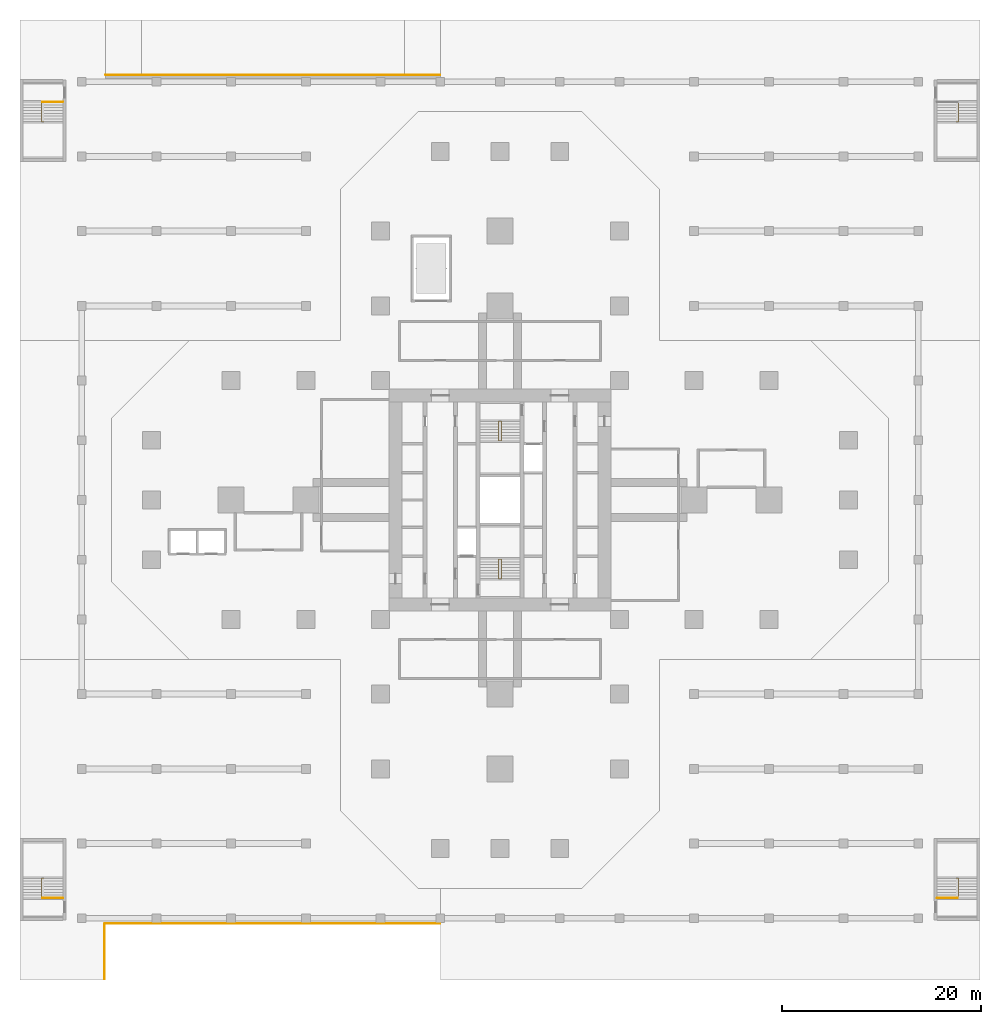
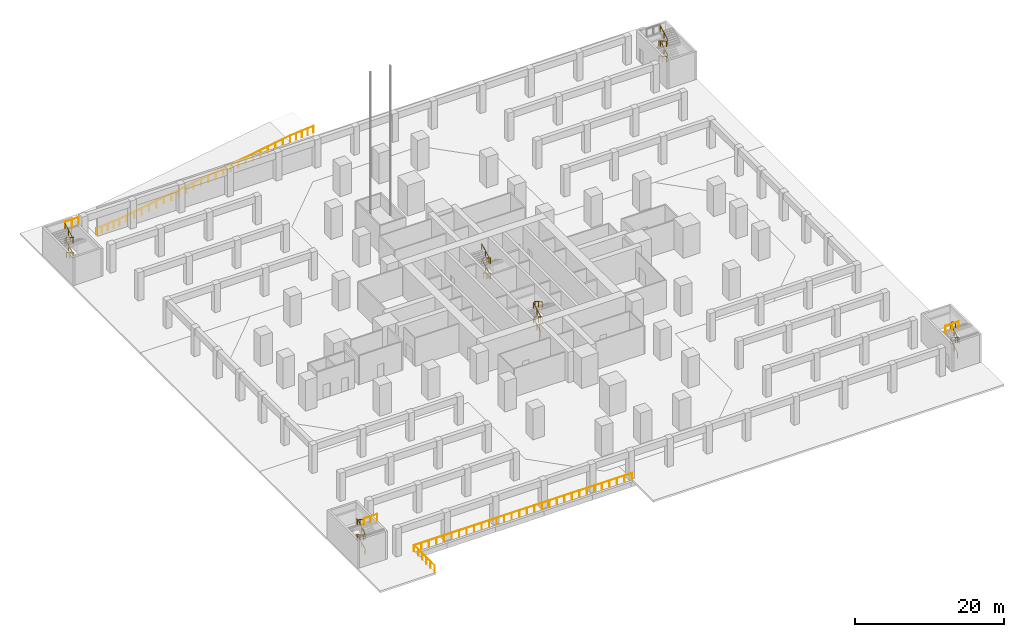
# One storey, part 16 of 20: 13 railings.
"""IFC4 building model written with IfcOpenShell, lengths in metres."""

from ifc_helpers import new_model, si_unit, direction, frame, origin, origin_2d, place, context, subcontext, project, spatial, circle, extrude, material, type_object, element, save


model = new_model("IFC4")

# Units and contexts
model_context = context("Model", 3, precision=1e-05, world=origin(), true_north=direction((0.0, 1.0)))
body_context = subcontext(model_context, "Body", "Model", "MODEL_VIEW")
ifc_project = project(units=[si_unit("LENGTHUNIT", "METRE"), si_unit("AREAUNIT", "SQUARE_METRE"), si_unit("VOLUMEUNIT", "CUBIC_METRE"), si_unit("PLANEANGLEUNIT", "RADIAN"), si_unit("MASSUNIT", "GRAM", prefix="KILO")], contexts=[model_context])

# Site, building, storey
site_placement = place(None, origin())
site = spatial("IfcSite", under=ifc_project, at=site_placement, CompositionType="ELEMENT")
building_placement = place(site_placement, origin())
building = spatial("IfcBuilding", under=site, at=building_placement, Name="Mizan Broadcast Tower", CompositionType="ELEMENT")
storey_placement = place(building_placement, frame((0.0, 0.0, -5.0)))
storey = spatial("IfcBuildingStorey", under=building, at=storey_placement, Name="B1", CompositionType="ELEMENT", Elevation=-5.0)

# Railings
ifc_material_1 = material(Name="Stainless steel and glass guard", Category="steel")
railing_type_1 = type_object("IfcRailingType", Name="GUARD 1100", PredefinedType="GUARDRAIL", material=ifc_material_1)
railing_1_placement = place(storey_placement, frame((-6.0, -42.550048828125, 0.0)))
element("IfcRailing", 1, at=railing_1_placement, inside=storey, type_object=railing_type_1, Name="Ramp opening guard B1", PredefinedType="GUARDRAIL", context=body_context, shape_type="SweptSolid", body=[
    extrude(circle(Radius=0.02392578125, at=origin_2d()), frame((0.0, 0.0, 1.076171875), z_axis=(-1.0, 0.0, 0.0), x_axis=(0.0, -1.0, 0.0)), (0.0, 0.0, 1.0), 33.699951171875),
    extrude(circle(Radius=0.02392578125, at=origin_2d()), frame((-33.699951171875, 0.0, 1.076171875), z_axis=(0.0, -1.0, 0.0), x_axis=(1.0, 0.0, 0.0)), (0.0, 0.0, 1.0), 5.550048828125),
    extrude(circle(Radius=0.02099609375, at=origin_2d()), origin(), (0.0, 0.0, 1.0), 1.052001953125),
    extrude(circle(Radius=0.02099609375, at=origin_2d()), frame((-1.162109375, 0.0, 0.0)), (0.0, 0.0, 1.0), 1.052001953125),
    extrude(circle(Radius=0.02099609375, at=origin_2d()), frame((-2.32421875, 0.0, 0.0)), (0.0, 0.0, 1.0), 1.052001953125),
    extrude(circle(Radius=0.02099609375, at=origin_2d()), frame((-3.486083984375, 0.0, 0.0)), (0.0, 0.0, 1.0), 1.052001953125),
    extrude(circle(Radius=0.02099609375, at=origin_2d()), frame((-4.648193359375, 0.0, 0.0)), (0.0, 0.0, 1.0), 1.052001953125),
    extrude(circle(Radius=0.02099609375, at=origin_2d()), frame((-5.810302734375, 0.0, 0.0)), (0.0, 0.0, 1.0), 1.052001953125),
    extrude(circle(Radius=0.02099609375, at=origin_2d()), frame((-6.972412109375, 0.0, 0.0)), (0.0, 0.0, 1.0), 1.052001953125),
    extrude(circle(Radius=0.02099609375, at=origin_2d()), frame((-8.134521484375, 0.0, 0.0)), (0.0, 0.0, 1.0), 1.052001953125),
    extrude(circle(Radius=0.02099609375, at=origin_2d()), frame((-9.296630859375, 0.0, 0.0)), (0.0, 0.0, 1.0), 1.052001953125),
    extrude(circle(Radius=0.02099609375, at=origin_2d()), frame((-10.45849609375, 0.0, 0.0)), (0.0, 0.0, 1.0), 1.052001953125),
    extrude(circle(Radius=0.02099609375, at=origin_2d()), frame((-11.62060546875, 0.0, 0.0)), (0.0, 0.0, 1.0), 1.052001953125),
    extrude(circle(Radius=0.02099609375, at=origin_2d()), frame((-12.78271484375, 0.0, 0.0)), (0.0, 0.0, 1.0), 1.052001953125),
    extrude(circle(Radius=0.02099609375, at=origin_2d()), frame((-13.94482421875, 0.0, 0.0)), (0.0, 0.0, 1.0), 1.052001953125),
    extrude(circle(Radius=0.02099609375, at=origin_2d()), frame((-15.10693359375, 0.0, 0.0)), (0.0, 0.0, 1.0), 1.052001953125),
    extrude(circle(Radius=0.02099609375, at=origin_2d()), frame((-16.26904296875, 0.0, 0.0)), (0.0, 0.0, 1.0), 1.052001953125),
    extrude(circle(Radius=0.02099609375, at=origin_2d()), frame((-17.430908203125, 0.0, 0.0)), (0.0, 0.0, 1.0), 1.052001953125),
    extrude(circle(Radius=0.02099609375, at=origin_2d()), frame((-18.593017578125, 0.0, 0.0)), (0.0, 0.0, 1.0), 1.052001953125),
    extrude(circle(Radius=0.02099609375, at=origin_2d()), frame((-19.755126953125, 0.0, 0.0)), (0.0, 0.0, 1.0), 1.052001953125),
    extrude(circle(Radius=0.02099609375, at=origin_2d()), frame((-20.917236328125, 0.0, 0.0)), (0.0, 0.0, 1.0), 1.052001953125),
    extrude(circle(Radius=0.02099609375, at=origin_2d()), frame((-22.079345703125, 0.0, 0.0)), (0.0, 0.0, 1.0), 1.052001953125),
    extrude(circle(Radius=0.02099609375, at=origin_2d()), frame((-23.241455078125, 0.0, 0.0)), (0.0, 0.0, 1.0), 1.052001953125),
    extrude(circle(Radius=0.02099609375, at=origin_2d()), frame((-24.4033203125, 0.0, 0.0)), (0.0, 0.0, 1.0), 1.052001953125),
    extrude(circle(Radius=0.02099609375, at=origin_2d()), frame((-25.5654296875, 0.0, 0.0)), (0.0, 0.0, 1.0), 1.052001953125),
    extrude(circle(Radius=0.02099609375, at=origin_2d()), frame((-26.7275390625, 0.0, 0.0)), (0.0, 0.0, 1.0), 1.052001953125),
    extrude(circle(Radius=0.02099609375, at=origin_2d()), frame((-27.8896484375, 0.0, 0.0)), (0.0, 0.0, 1.0), 1.052001953125),
    extrude(circle(Radius=0.02099609375, at=origin_2d()), frame((-29.0517578125, 0.0, 0.0)), (0.0, 0.0, 1.0), 1.052001953125),
    extrude(circle(Radius=0.02099609375, at=origin_2d()), frame((-30.2138671875, 0.0, 0.0)), (0.0, 0.0, 1.0), 1.052001953125),
    extrude(circle(Radius=0.02099609375, at=origin_2d()), frame((-31.375732421875, 0.0, 0.0)), (0.0, 0.0, 1.0), 1.052001953125),
    extrude(circle(Radius=0.02099609375, at=origin_2d()), frame((-32.537841796875, 0.0, 0.0)), (0.0, 0.0, 1.0), 1.052001953125),
    extrude(circle(Radius=0.02099609375, at=origin_2d()), frame((-33.699951171875, 0.0, 0.0)), (0.0, 0.0, 1.0), 1.052001953125),
    extrude(circle(Radius=0.02099609375, at=origin_2d()), frame((-33.699951171875, -1.110107421875, 0.0)), (0.0, 0.0, 1.0), 1.052001953125),
    extrude(circle(Radius=0.02099609375, at=origin_2d()), frame((-33.699951171875, -2.219970703125, 0.0)), (0.0, 0.0, 1.0), 1.052001953125),
    extrude(circle(Radius=0.02099609375, at=origin_2d()), frame((-33.699951171875, -3.330078125, 0.0)), (0.0, 0.0, 1.0), 1.052001953125),
    extrude(circle(Radius=0.02099609375, at=origin_2d()), frame((-33.699951171875, -4.43994140625, 0.0)), (0.0, 0.0, 1.0), 1.052001953125),
    extrude(circle(Radius=0.02099609375, at=origin_2d()), frame((-33.699951171875, -5.550048828125, 0.0)), (0.0, 0.0, 1.0), 1.052001953125),
])
railing_2_placement = place(storey_placement, frame((-6.0, 42.699951171875, 5.0)))
element("IfcRailing", 2, at=railing_2_placement, inside=storey, type_object=railing_type_1, Name="Car ramp R1 guard 1", PredefinedType="GUARDRAIL", context=body_context, shape_type="SweptSolid", body=[
    extrude(circle(Radius=0.02392578125, at=origin_2d()), frame((0.0, 0.0, 1.076171875), z_axis=(-0.996544826035, 0.0, -0.083056665618), x_axis=(0.0, -1.0, 0.0)), (0.0, 0.0, 1.0), 3.612548828125),
    extrude(circle(Radius=0.02099609375, at=origin_2d()), origin(), (0.0, 0.0, 1.0), 1.052001953125),
    extrude(circle(Radius=0.02099609375, at=origin_2d()), frame((-0.89990234375, 0.0, -0.074951171875)), (0.0, 0.0, 1.0), 1.052001953125),
    extrude(circle(Radius=0.02099609375, at=origin_2d()), frame((-1.800048828125, 0.0, -0.14990234375)), (0.0, 0.0, 1.0), 1.052001953125),
    extrude(circle(Radius=0.02099609375, at=origin_2d()), frame((-2.7001953125, 0.0, -0.22509765625)), (0.0, 0.0, 1.0), 1.052001953125),
    extrude(circle(Radius=0.02099609375, at=origin_2d()), frame((-3.60009765625, 0.0, -0.300048828125)), (0.0, 0.0, 1.0), 1.052001953125),
])
railing_3_placement = place(storey_placement, frame((-9.60009765625, 42.699951171875, 4.699951171875)))
element("IfcRailing", 3, at=railing_3_placement, inside=storey, type_object=railing_type_1, Name="Car ramp R1 guard 2", PredefinedType="GUARDRAIL", context=body_context, shape_type="SweptSolid", body=[
    extrude(circle(Radius=0.02392578125, at=origin_2d()), frame((0.0, 0.0, 1.076171875), z_axis=(-0.986394416907, 0.0, -0.16439602883), x_axis=(0.0, -1.0, 0.0)), (0.0, 0.0, 1.0), 26.76416015625),
    extrude(circle(Radius=0.02099609375, at=origin_2d()), origin(), (0.0, 0.0, 1.0), 1.052001953125),
    extrude(circle(Radius=0.02099609375, at=origin_2d()), frame((-1.147705078125, 0.0, -0.19140625)), (0.0, 0.0, 1.0), 1.052001953125),
    extrude(circle(Radius=0.02099609375, at=origin_2d()), frame((-2.295654296875, 0.0, -0.382568359375)), (0.0, 0.0, 1.0), 1.052001953125),
    extrude(circle(Radius=0.02099609375, at=origin_2d()), frame((-3.443359375, 0.0, -0.573974609375)), (0.0, 0.0, 1.0), 1.052001953125),
    extrude(circle(Radius=0.02099609375, at=origin_2d()), frame((-4.59130859375, 0.0, -0.76513671875)), (0.0, 0.0, 1.0), 1.052001953125),
    extrude(circle(Radius=0.02099609375, at=origin_2d()), frame((-5.739013671875, 0.0, -0.95654296875)), (0.0, 0.0, 1.0), 1.052001953125),
    extrude(circle(Radius=0.02099609375, at=origin_2d()), frame((-6.886962890625, 0.0, -1.147705078125)), (0.0, 0.0, 1.0), 1.052001953125),
    extrude(circle(Radius=0.02099609375, at=origin_2d()), frame((-8.03466796875, 0.0, -1.339111328125)), (0.0, 0.0, 1.0), 1.052001953125),
    extrude(circle(Radius=0.02099609375, at=origin_2d()), frame((-9.1826171875, 0.0, -1.530517578125)), (0.0, 0.0, 1.0), 1.052001953125),
    extrude(circle(Radius=0.02099609375, at=origin_2d()), frame((-10.330322265625, 0.0, -1.7216796875)), (0.0, 0.0, 1.0), 1.052001953125),
    extrude(circle(Radius=0.02099609375, at=origin_2d()), frame((-11.478271484375, 0.0, -1.9130859375)), (0.0, 0.0, 1.0), 1.052001953125),
    extrude(circle(Radius=0.02099609375, at=origin_2d()), frame((-12.6259765625, 0.0, -2.104248046875)), (0.0, 0.0, 1.0), 1.052001953125),
    extrude(circle(Radius=0.02099609375, at=origin_2d()), frame((-13.77392578125, 0.0, -2.295654296875)), (0.0, 0.0, 1.0), 1.052001953125),
    extrude(circle(Radius=0.02099609375, at=origin_2d()), frame((-14.921630859375, 0.0, -2.48681640625)), (0.0, 0.0, 1.0), 1.052001953125),
    extrude(circle(Radius=0.02099609375, at=origin_2d()), frame((-16.069580078125, 0.0, -2.67822265625)), (0.0, 0.0, 1.0), 1.052001953125),
    extrude(circle(Radius=0.02099609375, at=origin_2d()), frame((-17.21728515625, 0.0, -2.869384765625)), (0.0, 0.0, 1.0), 1.052001953125),
    extrude(circle(Radius=0.02099609375, at=origin_2d()), frame((-18.365234375, 0.0, -3.060791015625)), (0.0, 0.0, 1.0), 1.052001953125),
    extrude(circle(Radius=0.02099609375, at=origin_2d()), frame((-19.512939453125, 0.0, -3.252197265625)), (0.0, 0.0, 1.0), 1.052001953125),
    extrude(circle(Radius=0.02099609375, at=origin_2d()), frame((-20.660888671875, 0.0, -3.443359375)), (0.0, 0.0, 1.0), 1.052001953125),
    extrude(circle(Radius=0.02099609375, at=origin_2d()), frame((-21.80859375, 0.0, -3.634765625)), (0.0, 0.0, 1.0), 1.052001953125),
    extrude(circle(Radius=0.02099609375, at=origin_2d()), frame((-22.95654296875, 0.0, -3.825927734375)), (0.0, 0.0, 1.0), 1.052001953125),
    extrude(circle(Radius=0.02099609375, at=origin_2d()), frame((-24.104248046875, 0.0, -4.017333984375)), (0.0, 0.0, 1.0), 1.052001953125),
    extrude(circle(Radius=0.02099609375, at=origin_2d()), frame((-25.252197265625, 0.0, -4.20849609375)), (0.0, 0.0, 1.0), 1.052001953125),
    extrude(circle(Radius=0.02099609375, at=origin_2d()), frame((-26.39990234375, 0.0, -4.39990234375)), (0.0, 0.0, 1.0), 1.052001953125),
])
railing_4_placement = place(storey_placement, frame((-36.0, 42.699951171875, 0.300048828125)))
element("IfcRailing", 4, at=railing_4_placement, inside=storey, type_object=railing_type_1, Name="Car ramp R1 guard 3", PredefinedType="GUARDRAIL", context=body_context, shape_type="SweptSolid", body=[
    extrude(circle(Radius=0.02392578125, at=origin_2d()), frame((0.0, 0.0, 1.076171875), z_axis=(-0.996544826035, 0.0, -0.083056665618), x_axis=(0.0, -1.0, 0.0)), (0.0, 0.0, 1.0), 3.612548828125),
    extrude(circle(Radius=0.02099609375, at=origin_2d()), origin(), (0.0, 0.0, 1.0), 1.052001953125),
    extrude(circle(Radius=0.02099609375, at=origin_2d()), frame((-0.89990234375, 0.0, -0.074951171875)), (0.0, 0.0, 1.0), 1.052001953125),
    extrude(circle(Radius=0.02099609375, at=origin_2d()), frame((-1.800048828125, 0.0, -0.14990234375)), (0.0, 0.0, 1.0), 1.052001953125),
    extrude(circle(Radius=0.02099609375, at=origin_2d()), frame((-2.7001953125, 0.0, -0.22509765625)), (0.0, 0.0, 1.0), 1.052001953125),
    extrude(circle(Radius=0.02099609375, at=origin_2d()), frame((-3.60009765625, 0.0, -0.300048828125)), (0.0, 0.0, 1.0), 1.052001953125),
])
for number, where, name in (
    (5, (-43.89990234375, 39.97998046875, 5.0), "Stair F top landing guard"),
    (6, (-43.89990234375, -39.97998046875, 5.0), "Stair G top landing guard"),
):
    element("IfcRailing", number, at=place(storey_placement, frame(where)), inside=storey, type_object=railing_type_1, Name=name, PredefinedType="GUARDRAIL", context=body_context, shape_type="SweptSolid", body=[
        extrude(circle(Radius=0.02392578125, at=origin_2d()), frame((0.0, 0.0, 1.076171875), z_axis=(-1.0, 0.0, 0.0), x_axis=(0.0, -1.0, 0.0)), (0.0, 0.0, 1.0), 2.050048828125),
        extrude(circle(Radius=0.02099609375, at=origin_2d()), origin(), (0.0, 0.0, 1.0), 1.052001953125),
        extrude(circle(Radius=0.02099609375, at=origin_2d()), frame((-1.02490234375, 0.0, 0.0)), (0.0, 0.0, 1.0), 1.052001953125),
        extrude(circle(Radius=0.02099609375, at=origin_2d()), frame((-2.050048828125, 0.0, 0.0)), (0.0, 0.0, 1.0), 1.052001953125),
    ])
railing_5_placement = place(storey_placement, frame((43.89990234375, -39.97998046875, 5.0)))
element("IfcRailing", 7, at=railing_5_placement, inside=storey, type_object=railing_type_1, Name="Stair H top landing guard", PredefinedType="GUARDRAIL", context=body_context, shape_type="SweptSolid", body=[
    extrude(circle(Radius=0.02392578125, at=origin_2d()), frame((0.0, 0.0, 1.076171875), z_axis=(1.0, 0.0, 0.0), x_axis=(0.0, 1.0, 0.0)), (0.0, 0.0, 1.0), 2.050048828125),
    extrude(circle(Radius=0.02099609375, at=origin_2d()), origin(), (0.0, 0.0, 1.0), 1.052001953125),
    extrude(circle(Radius=0.02099609375, at=origin_2d()), frame((1.02490234375, 0.0, 0.0)), (0.0, 0.0, 1.0), 1.052001953125),
    extrude(circle(Radius=0.02099609375, at=origin_2d()), frame((2.050048828125, 0.0, 0.0)), (0.0, 0.0, 1.0), 1.052001953125),
])
ifc_material_2 = material(Name="Stainless steel", Category="steel")
railing_type_2 = type_object("IfcRailingType", Name="HANDRAIL 50", PredefinedType="HANDRAIL", material=ifc_material_2)
railing_6_placement = place(storey_placement, frame((-0.110107421875, -7.89990234375, 0.15625)))
element("IfcRailing", 8, at=railing_6_placement, inside=storey, type_object=railing_type_2, Name="Stair A handrail", PredefinedType="HANDRAIL", context=body_context, shape_type="SweptSolid", body=[
    extrude(circle(Radius=0.02392578125, at=origin_2d()), frame((0.0, 0.0, 0.8759765625), z_axis=(0.0, 0.873232148454, 0.487304437602), x_axis=(-1.0, 0.0, 0.0)), (0.0, 0.0, 1.0), 2.244384765625),
    extrude(circle(Radius=0.02392578125, at=origin_2d()), frame((0.0, 1.9599609375, 1.9697265625), z_axis=(0.815562204743, 0.0, 0.578669413565), x_axis=(0.0, 1.0, 0.0)), (0.0, 0.0, 1.0), 0.27001953125),
    extrude(circle(Radius=0.02392578125, at=origin_2d()), frame((0.22021484375, 1.9599609375, 2.1259765625), z_axis=(0.0, -0.873232148454, 0.487304437602), x_axis=(1.0, 0.0, 0.0)), (0.0, 0.0, 1.0), 2.244384765625),
    extrude(circle(Radius=0.02392578125, at=origin_2d()), frame((0.22021484375, 0.0, 3.2197265625), z_axis=(-0.815562204743, 0.0, 0.578669413565), x_axis=(0.0, -1.0, 0.0)), (0.0, 0.0, 1.0), 0.27001953125),
    extrude(circle(Radius=0.02392578125, at=origin_2d()), frame((0.0, 0.0, 3.3759765625), z_axis=(0.0, 0.873232148454, 0.487304437602), x_axis=(-1.0, 0.0, 0.0)), (0.0, 0.0, 1.0), 2.244384765625),
    extrude(circle(Radius=0.02392578125, at=origin_2d()), frame((0.0, 1.9599609375, 4.4697265625), z_axis=(0.815562204743, 0.0, 0.578669413565), x_axis=(0.0, 1.0, 0.0)), (0.0, 0.0, 1.0), 0.27001953125),
    extrude(circle(Radius=0.02392578125, at=origin_2d()), frame((0.22021484375, 1.9599609375, 4.6259765625), z_axis=(0.0, -0.873232148454, 0.487304437602), x_axis=(1.0, 0.0, 0.0)), (0.0, 0.0, 1.0), 2.244384765625),
    extrude(circle(Radius=0.02099609375, at=origin_2d()), origin(), (0.0, 0.0, 1.0), 0.851806640625),
    extrude(circle(Radius=0.02099609375, at=origin_2d()), frame((0.0, 0.97998046875, 0.546875)), (0.0, 0.0, 1.0), 0.851806640625),
    extrude(circle(Radius=0.02099609375, at=origin_2d()), frame((0.0, 1.9599609375, 1.09375)), (0.0, 0.0, 1.0), 0.851806640625),
    extrude(circle(Radius=0.02099609375, at=origin_2d()), frame((0.22021484375, 1.9599609375, 1.25)), (0.0, 0.0, 1.0), 0.851806640625),
    extrude(circle(Radius=0.02099609375, at=origin_2d()), frame((0.22021484375, 0.97998046875, 1.796875)), (0.0, 0.0, 1.0), 0.851806640625),
    extrude(circle(Radius=0.02099609375, at=origin_2d()), frame((0.22021484375, 0.0, 2.34375)), (0.0, 0.0, 1.0), 0.851806640625),
    extrude(circle(Radius=0.02099609375, at=origin_2d()), frame((0.0, 0.0, 2.5)), (0.0, 0.0, 1.0), 0.851806640625),
    extrude(circle(Radius=0.02099609375, at=origin_2d()), frame((0.0, 0.97998046875, 3.046875)), (0.0, 0.0, 1.0), 0.851806640625),
    extrude(circle(Radius=0.02099609375, at=origin_2d()), frame((0.0, 1.9599609375, 3.59375)), (0.0, 0.0, 1.0), 0.851806640625),
    extrude(circle(Radius=0.02099609375, at=origin_2d()), frame((0.22021484375, 1.9599609375, 3.75)), (0.0, 0.0, 1.0), 0.851806640625),
    extrude(circle(Radius=0.02099609375, at=origin_2d()), frame((0.22021484375, 0.97998046875, 4.296875)), (0.0, 0.0, 1.0), 0.851806640625),
    extrude(circle(Radius=0.02099609375, at=origin_2d()), frame((0.22021484375, 0.0, 4.84375)), (0.0, 0.0, 1.0), 0.851806640625),
])
railing_7_placement = place(storey_placement, frame((0.110107421875, 7.89990234375, 0.15625)))
element("IfcRailing", 9, at=railing_7_placement, inside=storey, type_object=railing_type_2, Name="Stair B handrail", PredefinedType="HANDRAIL", context=body_context, shape_type="SweptSolid", body=[
    extrude(circle(Radius=0.02392578125, at=origin_2d()), frame((0.0, 0.0, 0.8759765625), z_axis=(0.0, -0.873232148454, 0.487304437602), x_axis=(1.0, 0.0, 0.0)), (0.0, 0.0, 1.0), 2.244384765625),
    extrude(circle(Radius=0.02392578125, at=origin_2d()), frame((0.0, -1.9599609375, 1.9697265625), z_axis=(-0.815562204743, 0.0, 0.578669413565), x_axis=(0.0, -1.0, 0.0)), (0.0, 0.0, 1.0), 0.27001953125),
    extrude(circle(Radius=0.02392578125, at=origin_2d()), frame((-0.22021484375, -1.9599609375, 2.1259765625), z_axis=(0.0, 0.873232148454, 0.487304437602), x_axis=(-1.0, 0.0, 0.0)), (0.0, 0.0, 1.0), 2.244384765625),
    extrude(circle(Radius=0.02392578125, at=origin_2d()), frame((-0.22021484375, 0.0, 3.2197265625), z_axis=(0.815562204743, 0.0, 0.578669413565), x_axis=(0.0, 1.0, 0.0)), (0.0, 0.0, 1.0), 0.27001953125),
    extrude(circle(Radius=0.02392578125, at=origin_2d()), frame((0.0, 0.0, 3.3759765625), z_axis=(0.0, -0.873232148454, 0.487304437602), x_axis=(1.0, 0.0, 0.0)), (0.0, 0.0, 1.0), 2.244384765625),
    extrude(circle(Radius=0.02392578125, at=origin_2d()), frame((0.0, -1.9599609375, 4.4697265625), z_axis=(-0.815562204743, 0.0, 0.578669413565), x_axis=(0.0, -1.0, 0.0)), (0.0, 0.0, 1.0), 0.27001953125),
    extrude(circle(Radius=0.02392578125, at=origin_2d()), frame((-0.22021484375, -1.9599609375, 4.6259765625), z_axis=(0.0, 0.873232148454, 0.487304437602), x_axis=(-1.0, 0.0, 0.0)), (0.0, 0.0, 1.0), 2.244384765625),
    extrude(circle(Radius=0.02099609375, at=origin_2d()), origin(), (0.0, 0.0, 1.0), 0.851806640625),
    extrude(circle(Radius=0.02099609375, at=origin_2d()), frame((0.0, -0.97998046875, 0.546875)), (0.0, 0.0, 1.0), 0.851806640625),
    extrude(circle(Radius=0.02099609375, at=origin_2d()), frame((0.0, -1.9599609375, 1.09375)), (0.0, 0.0, 1.0), 0.851806640625),
    extrude(circle(Radius=0.02099609375, at=origin_2d()), frame((-0.22021484375, -1.9599609375, 1.25)), (0.0, 0.0, 1.0), 0.851806640625),
    extrude(circle(Radius=0.02099609375, at=origin_2d()), frame((-0.22021484375, -0.97998046875, 1.796875)), (0.0, 0.0, 1.0), 0.851806640625),
    extrude(circle(Radius=0.02099609375, at=origin_2d()), frame((-0.22021484375, 0.0, 2.34375)), (0.0, 0.0, 1.0), 0.851806640625),
    extrude(circle(Radius=0.02099609375, at=origin_2d()), frame((0.0, 0.0, 2.5)), (0.0, 0.0, 1.0), 0.851806640625),
    extrude(circle(Radius=0.02099609375, at=origin_2d()), frame((0.0, -0.97998046875, 3.046875)), (0.0, 0.0, 1.0), 0.851806640625),
    extrude(circle(Radius=0.02099609375, at=origin_2d()), frame((0.0, -1.9599609375, 3.59375)), (0.0, 0.0, 1.0), 0.851806640625),
    extrude(circle(Radius=0.02099609375, at=origin_2d()), frame((-0.22021484375, -1.9599609375, 3.75)), (0.0, 0.0, 1.0), 0.851806640625),
    extrude(circle(Radius=0.02099609375, at=origin_2d()), frame((-0.22021484375, -0.97998046875, 4.296875)), (0.0, 0.0, 1.0), 0.851806640625),
    extrude(circle(Radius=0.02099609375, at=origin_2d()), frame((-0.22021484375, 0.0, 4.84375)), (0.0, 0.0, 1.0), 0.851806640625),
])
railing_8_placement = place(storey_placement, frame((45.7900390625, 39.949951171875, 0.15625)))
element("IfcRailing", 10, at=railing_8_placement, inside=storey, type_object=railing_type_2, Name="Stair E handrail", PredefinedType="HANDRAIL", context=body_context, shape_type="SweptSolid", body=[
    extrude(circle(Radius=0.02392578125, at=origin_2d()), frame((0.0, 0.0, 0.8759765625), z_axis=(0.0, -0.873232148454, 0.487304437602), x_axis=(1.0, 0.0, 0.0)), (0.0, 0.0, 1.0), 2.244384765625),
    extrude(circle(Radius=0.02392578125, at=origin_2d()), frame((0.0, -1.9599609375, 1.9697265625), z_axis=(0.815259100417, 0.0, 0.579096364336), x_axis=(0.0, 1.0, 0.0)), (0.0, 0.0, 1.0), 0.269775390625),
    extrude(circle(Radius=0.02392578125, at=origin_2d()), frame((0.219970703125, -1.9599609375, 2.1259765625), z_axis=(0.0, 0.873232148454, 0.487304437602), x_axis=(-1.0, 0.0, 0.0)), (0.0, 0.0, 1.0), 2.244384765625),
    extrude(circle(Radius=0.02392578125, at=origin_2d()), frame((0.219970703125, 0.0, 3.2197265625), z_axis=(-0.815259100417, 0.0, 0.579096364336), x_axis=(0.0, -1.0, 0.0)), (0.0, 0.0, 1.0), 0.269775390625),
    extrude(circle(Radius=0.02392578125, at=origin_2d()), frame((0.0, 0.0, 3.3759765625), z_axis=(0.0, -0.873232148454, 0.487304437602), x_axis=(1.0, 0.0, 0.0)), (0.0, 0.0, 1.0), 2.244384765625),
    extrude(circle(Radius=0.02392578125, at=origin_2d()), frame((0.0, -1.9599609375, 4.4697265625), z_axis=(0.815259100417, 0.0, 0.579096364336), x_axis=(0.0, 1.0, 0.0)), (0.0, 0.0, 1.0), 0.269775390625),
    extrude(circle(Radius=0.02392578125, at=origin_2d()), frame((0.219970703125, -1.9599609375, 4.6259765625), z_axis=(0.0, 0.873232148454, 0.487304437602), x_axis=(-1.0, 0.0, 0.0)), (0.0, 0.0, 1.0), 2.244384765625),
    extrude(circle(Radius=0.02099609375, at=origin_2d()), origin(), (0.0, 0.0, 1.0), 0.851806640625),
    extrude(circle(Radius=0.02099609375, at=origin_2d()), frame((0.0, -0.97998046875, 0.546875)), (0.0, 0.0, 1.0), 0.851806640625),
    extrude(circle(Radius=0.02099609375, at=origin_2d()), frame((0.0, -1.9599609375, 1.09375)), (0.0, 0.0, 1.0), 0.851806640625),
    extrude(circle(Radius=0.02099609375, at=origin_2d()), frame((0.219970703125, -1.9599609375, 1.25)), (0.0, 0.0, 1.0), 0.851806640625),
    extrude(circle(Radius=0.02099609375, at=origin_2d()), frame((0.219970703125, -0.97998046875, 1.796875)), (0.0, 0.0, 1.0), 0.851806640625),
    extrude(circle(Radius=0.02099609375, at=origin_2d()), frame((0.219970703125, 0.0, 2.34375)), (0.0, 0.0, 1.0), 0.851806640625),
    extrude(circle(Radius=0.02099609375, at=origin_2d()), frame((0.0, 0.0, 2.5)), (0.0, 0.0, 1.0), 0.851806640625),
    extrude(circle(Radius=0.02099609375, at=origin_2d()), frame((0.0, -0.97998046875, 3.046875)), (0.0, 0.0, 1.0), 0.851806640625),
    extrude(circle(Radius=0.02099609375, at=origin_2d()), frame((0.0, -1.9599609375, 3.59375)), (0.0, 0.0, 1.0), 0.851806640625),
    extrude(circle(Radius=0.02099609375, at=origin_2d()), frame((0.219970703125, -1.9599609375, 3.75)), (0.0, 0.0, 1.0), 0.851806640625),
    extrude(circle(Radius=0.02099609375, at=origin_2d()), frame((0.219970703125, -0.97998046875, 4.296875)), (0.0, 0.0, 1.0), 0.851806640625),
    extrude(circle(Radius=0.02099609375, at=origin_2d()), frame((0.219970703125, 0.0, 4.84375)), (0.0, 0.0, 1.0), 0.851806640625),
])
railing_9_placement = place(storey_placement, frame((-45.7900390625, 39.949951171875, 0.15625)))
element("IfcRailing", 11, at=railing_9_placement, inside=storey, type_object=railing_type_2, Name="Stair F handrail", PredefinedType="HANDRAIL", context=body_context, shape_type="SweptSolid", body=[
    extrude(circle(Radius=0.02392578125, at=origin_2d()), frame((0.0, 0.0, 0.8759765625), z_axis=(0.0, -0.873232148454, 0.487304437602), x_axis=(1.0, 0.0, 0.0)), (0.0, 0.0, 1.0), 2.244384765625),
    extrude(circle(Radius=0.02392578125, at=origin_2d()), frame((0.0, -1.9599609375, 1.9697265625), z_axis=(-0.815259100417, 0.0, 0.579096364336), x_axis=(0.0, -1.0, 0.0)), (0.0, 0.0, 1.0), 0.269775390625),
    extrude(circle(Radius=0.02392578125, at=origin_2d()), frame((-0.219970703125, -1.9599609375, 2.1259765625), z_axis=(0.0, 0.873232148454, 0.487304437602), x_axis=(-1.0, 0.0, 0.0)), (0.0, 0.0, 1.0), 2.244384765625),
    extrude(circle(Radius=0.02392578125, at=origin_2d()), frame((-0.219970703125, 0.0, 3.2197265625), z_axis=(0.815259100417, 0.0, 0.579096364336), x_axis=(0.0, 1.0, 0.0)), (0.0, 0.0, 1.0), 0.269775390625),
    extrude(circle(Radius=0.02392578125, at=origin_2d()), frame((0.0, 0.0, 3.3759765625), z_axis=(0.0, -0.873232148454, 0.487304437602), x_axis=(1.0, 0.0, 0.0)), (0.0, 0.0, 1.0), 2.244384765625),
    extrude(circle(Radius=0.02392578125, at=origin_2d()), frame((0.0, -1.9599609375, 4.4697265625), z_axis=(-0.815259100417, 0.0, 0.579096364336), x_axis=(0.0, -1.0, 0.0)), (0.0, 0.0, 1.0), 0.269775390625),
    extrude(circle(Radius=0.02392578125, at=origin_2d()), frame((-0.219970703125, -1.9599609375, 4.6259765625), z_axis=(0.0, 0.873232148454, 0.487304437602), x_axis=(-1.0, 0.0, 0.0)), (0.0, 0.0, 1.0), 2.244384765625),
    extrude(circle(Radius=0.02099609375, at=origin_2d()), origin(), (0.0, 0.0, 1.0), 0.851806640625),
    extrude(circle(Radius=0.02099609375, at=origin_2d()), frame((0.0, -0.97998046875, 0.546875)), (0.0, 0.0, 1.0), 0.851806640625),
    extrude(circle(Radius=0.02099609375, at=origin_2d()), frame((0.0, -1.9599609375, 1.09375)), (0.0, 0.0, 1.0), 0.851806640625),
    extrude(circle(Radius=0.02099609375, at=origin_2d()), frame((-0.219970703125, -1.9599609375, 1.25)), (0.0, 0.0, 1.0), 0.851806640625),
    extrude(circle(Radius=0.02099609375, at=origin_2d()), frame((-0.219970703125, -0.97998046875, 1.796875)), (0.0, 0.0, 1.0), 0.851806640625),
    extrude(circle(Radius=0.02099609375, at=origin_2d()), frame((-0.219970703125, 0.0, 2.34375)), (0.0, 0.0, 1.0), 0.851806640625),
    extrude(circle(Radius=0.02099609375, at=origin_2d()), frame((0.0, 0.0, 2.5)), (0.0, 0.0, 1.0), 0.851806640625),
    extrude(circle(Radius=0.02099609375, at=origin_2d()), frame((0.0, -0.97998046875, 3.046875)), (0.0, 0.0, 1.0), 0.851806640625),
    extrude(circle(Radius=0.02099609375, at=origin_2d()), frame((0.0, -1.9599609375, 3.59375)), (0.0, 0.0, 1.0), 0.851806640625),
    extrude(circle(Radius=0.02099609375, at=origin_2d()), frame((-0.219970703125, -1.9599609375, 3.75)), (0.0, 0.0, 1.0), 0.851806640625),
    extrude(circle(Radius=0.02099609375, at=origin_2d()), frame((-0.219970703125, -0.97998046875, 4.296875)), (0.0, 0.0, 1.0), 0.851806640625),
    extrude(circle(Radius=0.02099609375, at=origin_2d()), frame((-0.219970703125, 0.0, 4.84375)), (0.0, 0.0, 1.0), 0.851806640625),
])
railing_10_placement = place(storey_placement, frame((-45.7900390625, -39.949951171875, 0.15625)))
element("IfcRailing", 12, at=railing_10_placement, inside=storey, type_object=railing_type_2, Name="Stair G handrail", PredefinedType="HANDRAIL", context=body_context, shape_type="SweptSolid", body=[
    extrude(circle(Radius=0.02392578125, at=origin_2d()), frame((0.0, 0.0, 0.8759765625), z_axis=(0.0, 0.873232148454, 0.487304437602), x_axis=(-1.0, 0.0, 0.0)), (0.0, 0.0, 1.0), 2.244384765625),
    extrude(circle(Radius=0.02392578125, at=origin_2d()), frame((0.0, 1.9599609375, 1.9697265625), z_axis=(-0.815259100417, 0.0, 0.579096364336), x_axis=(0.0, -1.0, 0.0)), (0.0, 0.0, 1.0), 0.269775390625),
    extrude(circle(Radius=0.02392578125, at=origin_2d()), frame((-0.219970703125, 1.9599609375, 2.1259765625), z_axis=(0.0, -0.873232148454, 0.487304437602), x_axis=(1.0, 0.0, 0.0)), (0.0, 0.0, 1.0), 2.244384765625),
    extrude(circle(Radius=0.02392578125, at=origin_2d()), frame((-0.219970703125, 0.0, 3.2197265625), z_axis=(0.815259100417, 0.0, 0.579096364336), x_axis=(0.0, 1.0, 0.0)), (0.0, 0.0, 1.0), 0.269775390625),
    extrude(circle(Radius=0.02392578125, at=origin_2d()), frame((0.0, 0.0, 3.3759765625), z_axis=(0.0, 0.873232148454, 0.487304437602), x_axis=(-1.0, 0.0, 0.0)), (0.0, 0.0, 1.0), 2.244384765625),
    extrude(circle(Radius=0.02392578125, at=origin_2d()), frame((0.0, 1.9599609375, 4.4697265625), z_axis=(-0.815259100417, 0.0, 0.579096364336), x_axis=(0.0, -1.0, 0.0)), (0.0, 0.0, 1.0), 0.269775390625),
    extrude(circle(Radius=0.02392578125, at=origin_2d()), frame((-0.219970703125, 1.9599609375, 4.6259765625), z_axis=(0.0, -0.873232148454, 0.487304437602), x_axis=(1.0, 0.0, 0.0)), (0.0, 0.0, 1.0), 2.244384765625),
    extrude(circle(Radius=0.02099609375, at=origin_2d()), origin(), (0.0, 0.0, 1.0), 0.851806640625),
    extrude(circle(Radius=0.02099609375, at=origin_2d()), frame((0.0, 0.97998046875, 0.546875)), (0.0, 0.0, 1.0), 0.851806640625),
    extrude(circle(Radius=0.02099609375, at=origin_2d()), frame((0.0, 1.9599609375, 1.09375)), (0.0, 0.0, 1.0), 0.851806640625),
    extrude(circle(Radius=0.02099609375, at=origin_2d()), frame((-0.219970703125, 1.9599609375, 1.25)), (0.0, 0.0, 1.0), 0.851806640625),
    extrude(circle(Radius=0.02099609375, at=origin_2d()), frame((-0.219970703125, 0.97998046875, 1.796875)), (0.0, 0.0, 1.0), 0.851806640625),
    extrude(circle(Radius=0.02099609375, at=origin_2d()), frame((-0.219970703125, 0.0, 2.34375)), (0.0, 0.0, 1.0), 0.851806640625),
    extrude(circle(Radius=0.02099609375, at=origin_2d()), frame((0.0, 0.0, 2.5)), (0.0, 0.0, 1.0), 0.851806640625),
    extrude(circle(Radius=0.02099609375, at=origin_2d()), frame((0.0, 0.97998046875, 3.046875)), (0.0, 0.0, 1.0), 0.851806640625),
    extrude(circle(Radius=0.02099609375, at=origin_2d()), frame((0.0, 1.9599609375, 3.59375)), (0.0, 0.0, 1.0), 0.851806640625),
    extrude(circle(Radius=0.02099609375, at=origin_2d()), frame((-0.219970703125, 1.9599609375, 3.75)), (0.0, 0.0, 1.0), 0.851806640625),
    extrude(circle(Radius=0.02099609375, at=origin_2d()), frame((-0.219970703125, 0.97998046875, 4.296875)), (0.0, 0.0, 1.0), 0.851806640625),
    extrude(circle(Radius=0.02099609375, at=origin_2d()), frame((-0.219970703125, 0.0, 4.84375)), (0.0, 0.0, 1.0), 0.851806640625),
])
railing_11_placement = place(storey_placement, frame((45.7900390625, -39.949951171875, 0.15625)))
element("IfcRailing", 13, at=railing_11_placement, inside=storey, type_object=railing_type_2, Name="Stair H handrail", PredefinedType="HANDRAIL", context=body_context, shape_type="SweptSolid", body=[
    extrude(circle(Radius=0.02392578125, at=origin_2d()), frame((0.0, 0.0, 0.8759765625), z_axis=(0.0, 0.873232148454, 0.487304437602), x_axis=(-1.0, 0.0, 0.0)), (0.0, 0.0, 1.0), 2.244384765625),
    extrude(circle(Radius=0.02392578125, at=origin_2d()), frame((0.0, 1.9599609375, 1.9697265625), z_axis=(0.815259100417, 0.0, 0.579096364336), x_axis=(0.0, 1.0, 0.0)), (0.0, 0.0, 1.0), 0.269775390625),
    extrude(circle(Radius=0.02392578125, at=origin_2d()), frame((0.219970703125, 1.9599609375, 2.1259765625), z_axis=(0.0, -0.873232148454, 0.487304437602), x_axis=(1.0, 0.0, 0.0)), (0.0, 0.0, 1.0), 2.244384765625),
    extrude(circle(Radius=0.02392578125, at=origin_2d()), frame((0.219970703125, 0.0, 3.2197265625), z_axis=(-0.815259100417, 0.0, 0.579096364336), x_axis=(0.0, -1.0, 0.0)), (0.0, 0.0, 1.0), 0.269775390625),
    extrude(circle(Radius=0.02392578125, at=origin_2d()), frame((0.0, 0.0, 3.3759765625), z_axis=(0.0, 0.873232148454, 0.487304437602), x_axis=(-1.0, 0.0, 0.0)), (0.0, 0.0, 1.0), 2.244384765625),
    extrude(circle(Radius=0.02392578125, at=origin_2d()), frame((0.0, 1.9599609375, 4.4697265625), z_axis=(0.815259100417, 0.0, 0.579096364336), x_axis=(0.0, 1.0, 0.0)), (0.0, 0.0, 1.0), 0.269775390625),
    extrude(circle(Radius=0.02392578125, at=origin_2d()), frame((0.219970703125, 1.9599609375, 4.6259765625), z_axis=(0.0, -0.873232148454, 0.487304437602), x_axis=(1.0, 0.0, 0.0)), (0.0, 0.0, 1.0), 2.244384765625),
    extrude(circle(Radius=0.02099609375, at=origin_2d()), origin(), (0.0, 0.0, 1.0), 0.851806640625),
    extrude(circle(Radius=0.02099609375, at=origin_2d()), frame((0.0, 0.97998046875, 0.546875)), (0.0, 0.0, 1.0), 0.851806640625),
    extrude(circle(Radius=0.02099609375, at=origin_2d()), frame((0.0, 1.9599609375, 1.09375)), (0.0, 0.0, 1.0), 0.851806640625),
    extrude(circle(Radius=0.02099609375, at=origin_2d()), frame((0.219970703125, 1.9599609375, 1.25)), (0.0, 0.0, 1.0), 0.851806640625),
    extrude(circle(Radius=0.02099609375, at=origin_2d()), frame((0.219970703125, 0.97998046875, 1.796875)), (0.0, 0.0, 1.0), 0.851806640625),
    extrude(circle(Radius=0.02099609375, at=origin_2d()), frame((0.219970703125, 0.0, 2.34375)), (0.0, 0.0, 1.0), 0.851806640625),
    extrude(circle(Radius=0.02099609375, at=origin_2d()), frame((0.0, 0.0, 2.5)), (0.0, 0.0, 1.0), 0.851806640625),
    extrude(circle(Radius=0.02099609375, at=origin_2d()), frame((0.0, 0.97998046875, 3.046875)), (0.0, 0.0, 1.0), 0.851806640625),
    extrude(circle(Radius=0.02099609375, at=origin_2d()), frame((0.0, 1.9599609375, 3.59375)), (0.0, 0.0, 1.0), 0.851806640625),
    extrude(circle(Radius=0.02099609375, at=origin_2d()), frame((0.219970703125, 1.9599609375, 3.75)), (0.0, 0.0, 1.0), 0.851806640625),
    extrude(circle(Radius=0.02099609375, at=origin_2d()), frame((0.219970703125, 0.97998046875, 4.296875)), (0.0, 0.0, 1.0), 0.851806640625),
    extrude(circle(Radius=0.02099609375, at=origin_2d()), frame((0.219970703125, 0.0, 4.84375)), (0.0, 0.0, 1.0), 0.851806640625),
])

save(model, "model.ifc")
